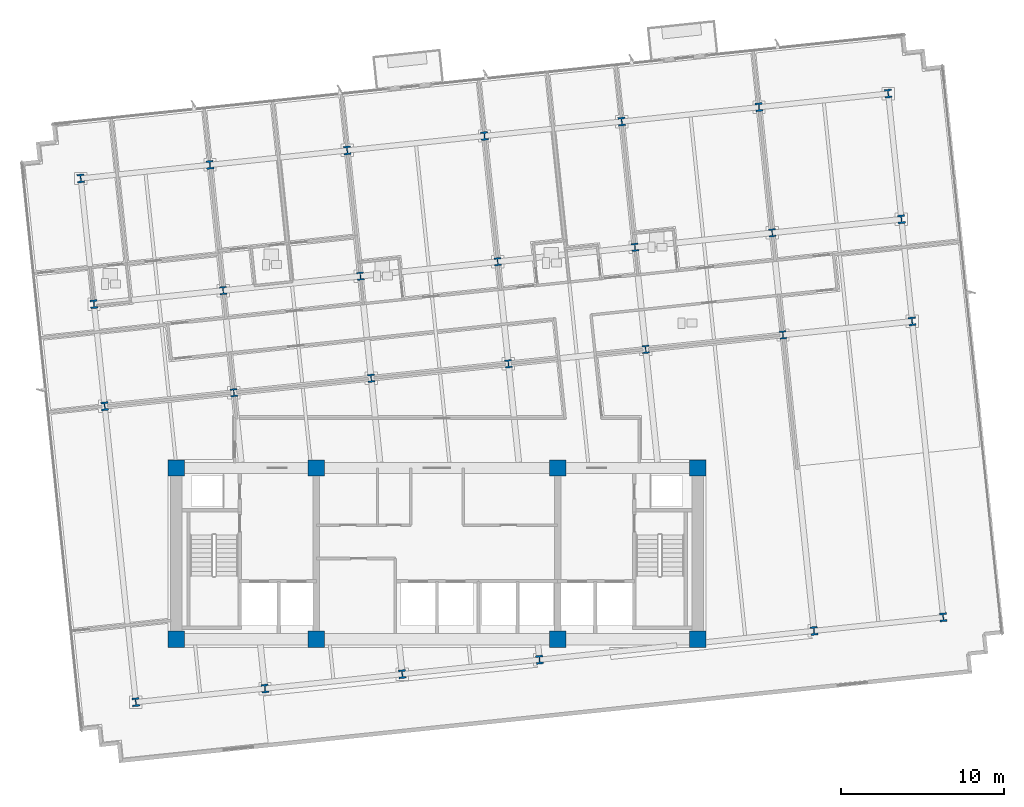
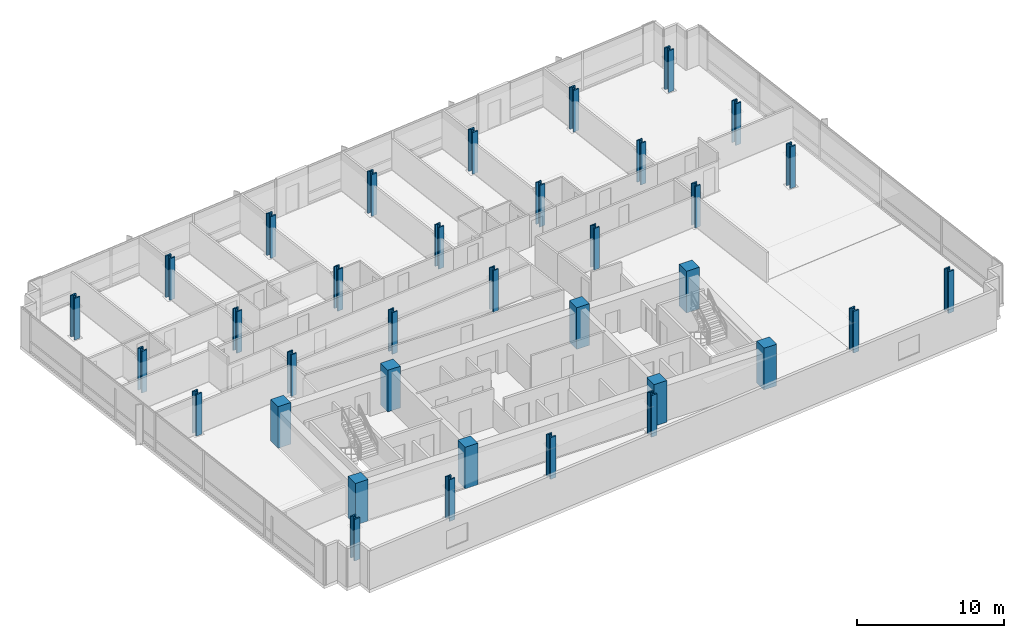
# One storey, part 1 of 17: 35 columns.
"""IFC4 building model written with IfcOpenShell, lengths in metres."""

from ifc_helpers import new_model, si_unit, direction, frame, origin, origin_2d, place, context, subcontext, project, spatial, rectangle, i_section, extrude, material, material_profile, profile_set, type_object, element, save


model = new_model("IFC4")

# Units and contexts
model_context = context("Model", 3, precision=1e-05, world=origin(), true_north=direction((0.0, 1.0)))
body_context = subcontext(model_context, "Body", "Model", "MODEL_VIEW")
ifc_project = project(units=[si_unit("LENGTHUNIT", "METRE"), si_unit("AREAUNIT", "SQUARE_METRE"), si_unit("VOLUMEUNIT", "CUBIC_METRE"), si_unit("PLANEANGLEUNIT", "RADIAN"), si_unit("MASSUNIT", "GRAM", prefix="KILO")], contexts=[model_context])

# Site, building, storey
site_placement = place(None, origin())
site = spatial("IfcSite", under=ifc_project, at=site_placement, CompositionType="ELEMENT")
building_placement = place(site_placement, origin())
building = spatial("IfcBuilding", under=site, at=building_placement, Name="Solmavex Isthmus Hotel", CompositionType="ELEMENT")
storey_placement = place(building_placement, frame((0.0, 0.0, 116.699951171875)))
storey = spatial("IfcBuildingStorey", under=building, at=storey_placement, Name="L31", CompositionType="ELEMENT", Elevation=116.699951171875)

# Columns
ifc_material_1 = material(Name="Concrete C60/75", Category="concrete")
ifc_material_profile_1 = material_profile(ifc_material_1, rectangle(XDim=1.0, YDim=1.0, at=origin_2d()), Name="RC1000X1000")
ifc_profile_set_1 = profile_set([ifc_material_profile_1], Name="Concrete C60/75")
column_type_1 = type_object("IfcColumnType", Name="COL-CC-1000", PredefinedType="COLUMN", material=ifc_profile_set_1)
for number, where, z_axis, x_axis, name in (
    (1, (-16.0, -13.0, 0.0), (0.0, 0.0, 1.0), (1.0, 0.0, 0.0), "Core Pilaster CC-SW L31"),
    (2, (-7.39990234375, -13.0, 0.0), (0.0, 0.0, 1.0), (1.0, 0.0, 0.0), "Core Pilaster CC-S1 L31"),
    (3, (7.39990234375, -13.0, 0.0), (0.0, 0.0, 1.0), (1.0, 0.0, 0.0), "Core Pilaster CC-S2 L31"),
    (4, (16.0, -13.0, 0.0), (0.0, 0.0, 1.0), (1.0, 0.0, 0.0), "Core Pilaster CC-SE L31"),
    (5, (-16.0, -2.5, 0.0), (0.0, 0.0, 1.0), (1.0, 0.0, 0.0), "Core Pilaster CC-NW L31"),
    (6, (-7.39990234375, -2.5, 0.0), (0.0, 0.0, 1.0), (1.0, 0.0, 0.0), "Core Pilaster CC-N1 L31"),
    (7, (7.39990234375, -2.5, 0.0), (0.0, 0.0, 1.0), (1.0, 0.0, 0.0), "Core Pilaster CC-N2 L31"),
    (8, (16.0, -2.5, 0.0), (0.0, 0.0, 1.0), (1.0, 0.0, 0.0), "Core Pilaster CC-NE L31"),
):
    element("IfcColumn", number, at=place(storey_placement, frame(where, z_axis=z_axis, x_axis=x_axis)), inside=storey, type_object=column_type_1, Name=name, PredefinedType="COLUMN", context=body_context, shape_type="SweptSolid", body=[
        extrude(rectangle(XDim=1.0, YDim=1.0, at=origin_2d()), origin(), (0.0, 0.0, 1.0), 3.449951171875),
    ])
ifc_material_2 = material(Name="Steel ASTM A913 Grade 65", Category="steel")
ifc_material_profile_2 = material_profile(ifc_material_2, i_section(OverallWidth=0.43212890625, OverallDepth=0.497802734375, WebThickness=0.0556640625, FlangeThickness=0.0888671875, FilletRadius=0.030517578125, at=origin_2d()), Name="W14X500")
ifc_profile_set_2 = profile_set([ifc_material_profile_2], Name="Steel ASTM A913 Grade 65")
column_type_2 = type_object("IfcColumnType", Name="COL-SC-W14X500", PredefinedType="COLUMN", material=ifc_profile_set_2)
for number, where, z_axis, x_axis, name in (
    (9, (-12.458740234375, 2.11865234375, 0.0), (0.0, 0.0, 1.0), (0.994521895368, 0.104528463268, 0.0), "Tower Column B2-U2V2 L31"),
    (10, (-13.1171875, 8.382080078125, 0.0), (0.0, 0.0, 1.0), (0.994521895368, 0.104528463268, 0.0), "Tower Column B2-U2V3 L31"),
    (11, (-4.0390625, 3.003662109375, 0.0), (0.0, 0.0, 1.0), (0.994521895368, 0.104528463268, 0.0), "Tower Column B2-U3V2 L31"),
    (12, (-4.697509765625, 9.26708984375, 0.0), (0.0, 0.0, 1.0), (0.994521895368, 0.104528463268, 0.0), "Tower Column B2-U3V3 L31"),
    (13, (4.38037109375, 3.888427734375, 0.0), (0.0, 0.0, 1.0), (0.994521895368, 0.104528463268, 0.0), "Tower Column B2-U4V2 L31"),
    (14, (3.72216796875, 10.152099609375, 0.0), (0.0, 0.0, 1.0), (0.994521895368, 0.104528463268, 0.0), "Tower Column B2-U4V3 L31"),
    (15, (12.800048828125, 4.7734375, 0.0), (0.0, 0.0, 1.0), (0.994521895368, 0.104528463268, 0.0), "Tower Column B2-U5V2 L31"),
    (16, (12.141845703125, 11.036865234375, 0.0), (0.0, 0.0, 1.0), (0.994521895368, 0.104528463268, 0.0), "Tower Column B2-U5V3 L31"),
    (17, (21.2197265625, 5.658447265625, 0.0), (0.0, 0.0, 1.0), (0.994521895368, 0.104528463268, 0.0), "Tower Column B2-U6V2 L31"),
    (18, (20.5615234375, 11.921875, 0.0), (0.0, 0.0, 1.0), (0.994521895368, 0.104528463268, 0.0), "Tower Column B2-U6V3 L31"),
):
    element("IfcColumn", number, at=place(storey_placement, frame(where, z_axis=z_axis, x_axis=x_axis)), inside=storey, type_object=column_type_2, Name=name, PredefinedType="COLUMN", context=body_context, shape_type="SweptSolid", body=[
        extrude(i_section(OverallWidth=0.43212890625, OverallDepth=0.497802734375, WebThickness=0.0556640625, FlangeThickness=0.0888671875, FilletRadius=0.030517578125, at=origin_2d()), origin(), (0.0, 0.0, 1.0), 3.449951171875),
    ])
ifc_material_profile_3 = material_profile(ifc_material_2, i_section(OverallWidth=0.442138671875, OverallDepth=0.531494140625, WebThickness=0.06591796875, FlangeThickness=0.105712890625, FilletRadius=0.030517578125, at=origin_2d()), Name="W14X605")
ifc_profile_set_3 = profile_set([ifc_material_profile_3], Name="Steel ASTM A913 Grade 65")
column_type_3 = type_object("IfcColumnType", Name="COL-SC-W14X605", PredefinedType="COLUMN", material=ifc_profile_set_3)
for number, where, z_axis, x_axis, name in (
    (19, (-18.475341796875, -16.8642578125, 0.0), (0.0, 0.0, 1.0), (0.994521895368, 0.104528463268, 0.0), "Tower Column B2-U1V1 L31"),
    (20, (-20.383056640625, 1.28564453125, 0.0), (0.0, 0.0, 1.0), (0.994521895368, 0.104528463268, 0.0), "Tower Column B2-U1V2 L31"),
    (21, (-21.04150390625, 7.54931640625, 0.0), (0.0, 0.0, 1.0), (0.994521895368, 0.104528463268, 0.0), "Tower Column B2-U1V3 L31"),
    (22, (-21.851806640625, 15.2587890625, 0.0), (0.0, 0.0, 1.0), (0.994521895368, 0.104528463268, 0.0), "Tower Column B2-U1V4 L31"),
    (23, (-10.551025390625, -16.031494140625, 0.0), (0.0, 0.0, 1.0), (0.994521895368, 0.104528463268, 0.0), "Tower Column B2-U2V1 L31"),
    (24, (-13.927490234375, 16.091552734375, 0.0), (0.0, 0.0, 1.0), (0.994521895368, 0.104528463268, 0.0), "Tower Column B2-U2V4 L31"),
    (25, (-2.131591796875, -15.146484375, 0.0), (0.0, 0.0, 1.0), (0.994521895368, 0.104528463268, 0.0), "Tower Column B2-U3V1 L31"),
    (26, (-5.5078125, 16.9765625, 0.0), (0.0, 0.0, 1.0), (0.994521895368, 0.104528463268, 0.0), "Tower Column B2-U3V4 L31"),
    (27, (6.2880859375, -14.261474609375, 0.0), (0.0, 0.0, 1.0), (0.994521895368, 0.104528463268, 0.0), "Tower Column B2-U4V1 L31"),
    (28, (2.911865234375, 17.861572265625, 0.0), (0.0, 0.0, 1.0), (0.994521895368, 0.104528463268, 0.0), "Tower Column B2-U4V4 L31"),
    (29, (11.33154296875, 18.74658203125, 0.0), (0.0, 0.0, 1.0), (0.994521895368, 0.104528463268, 0.0), "Tower Column B2-U5V4 L31"),
    (30, (23.12744140625, -12.49169921875, 0.0), (0.0, 0.0, 1.0), (0.994521895368, 0.104528463268, 0.0), "Tower Column B2-U6V1 L31"),
    (31, (19.751220703125, 19.63134765625, 0.0), (0.0, 0.0, 1.0), (0.994521895368, 0.104528463268, 0.0), "Tower Column B2-U6V4 L31"),
    (32, (31.0517578125, -11.65869140625, 0.0), (0.0, 0.0, 1.0), (0.994521895368, 0.104528463268, 0.0), "Tower Column B2-U7V1 L31"),
    (33, (29.14404296875, 6.4912109375, 0.0), (0.0, 0.0, 1.0), (0.994521895368, 0.104528463268, 0.0), "Tower Column B2-U7V2 L31"),
    (34, (28.48583984375, 12.754638671875, 0.0), (0.0, 0.0, 1.0), (0.994521895368, 0.104528463268, 0.0), "Tower Column B2-U7V3 L31"),
    (35, (27.675537109375, 20.46435546875, 0.0), (0.0, 0.0, 1.0), (0.994521895368, 0.104528463268, 0.0), "Tower Column B2-U7V4 L31"),
):
    element("IfcColumn", number, at=place(storey_placement, frame(where, z_axis=z_axis, x_axis=x_axis)), inside=storey, type_object=column_type_3, Name=name, PredefinedType="COLUMN", context=body_context, shape_type="SweptSolid", body=[
        extrude(i_section(OverallWidth=0.442138671875, OverallDepth=0.531494140625, WebThickness=0.06591796875, FlangeThickness=0.105712890625, FilletRadius=0.030517578125, at=origin_2d()), origin(), (0.0, 0.0, 1.0), 3.449951171875),
    ])

save(model, "model.ifc")
